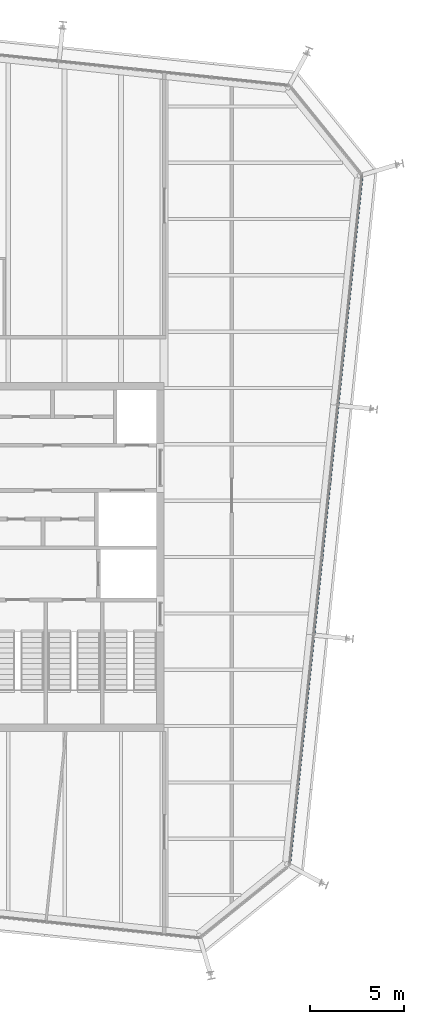
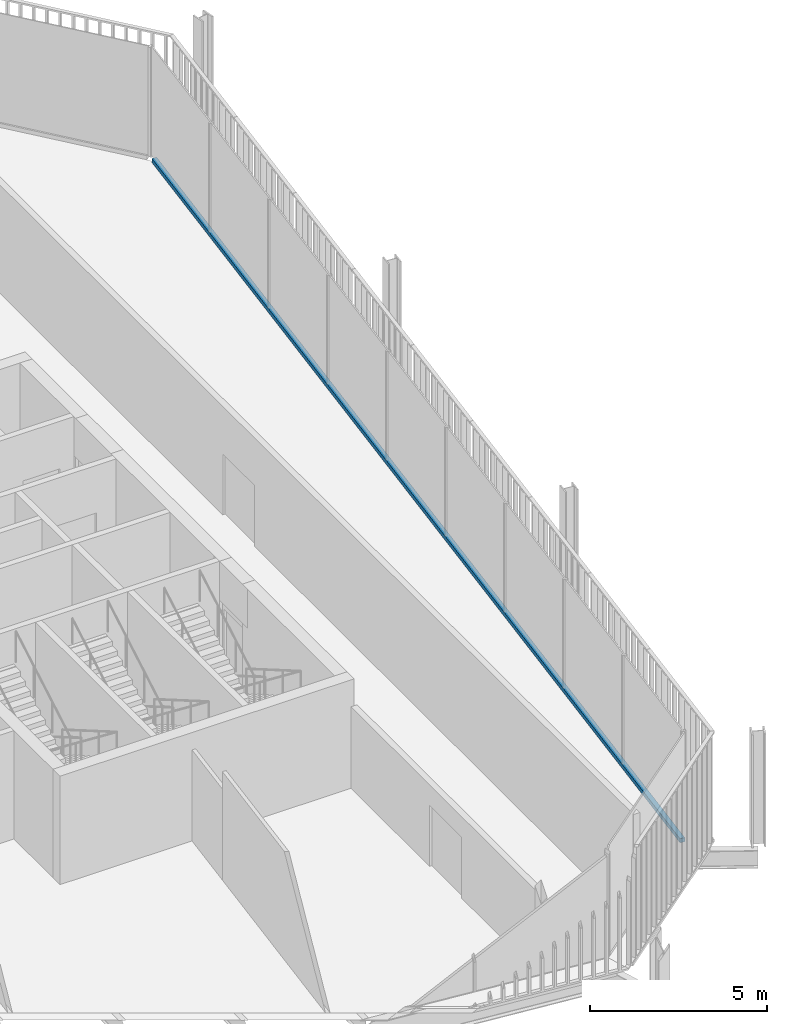
# One storey, part 10 of 20: 1 member, 1 element without a shape of its own.
"""IFC4 building model written with IfcOpenShell, lengths in metres."""

from ifc_helpers import new_model, si_unit, direction, frame, origin, origin_2d, place, context, subcontext, project, spatial, rectangle, extrude, material, layer, layer_set, material_profile, profile_set, type_object, element, aggregate, save


model = new_model("IFC4")

# Units and contexts
model_context = context("Model", 3, precision=1e-05, world=origin(), true_north=direction((0.0, 1.0)))
body_context = subcontext(model_context, "Body", "Model", "MODEL_VIEW")
ifc_project = project(units=[si_unit("LENGTHUNIT", "METRE"), si_unit("AREAUNIT", "SQUARE_METRE"), si_unit("VOLUMEUNIT", "CUBIC_METRE"), si_unit("PLANEANGLEUNIT", "RADIAN"), si_unit("MASSUNIT", "GRAM", prefix="KILO")], contexts=[model_context])

# Site, building, storey
site_placement = place(None, origin())
site = spatial("IfcSite", under=ifc_project, at=site_placement, CompositionType="ELEMENT")
building_placement = place(site_placement, origin())
building = spatial("IfcBuilding", under=site, at=building_placement, Name="Millrace Tower", CompositionType="ELEMENT")
storey_placement = place(building_placement, frame((0.0, 0.0, 322.60009765625)))
storey = spatial("IfcBuildingStorey", under=building, at=storey_placement, Name="L74", CompositionType="ELEMENT", Elevation=322.60009765625)

# Curtain wall, member
ifc_material_1 = material(Name="Aluminium and glass", Category="aluminium")
ifc_layer = layer(ifc_material_1, 0.14990234375)
ifc_layer_set = layer_set([ifc_layer], Name="Aluminium and glass")
curtain_wall_type = type_object("IfcCurtainWallType", Name="CW-1 office vision curtain wall", PredefinedType="NOTDEFINED", material=ifc_layer_set)
curtain_wall_placement = place(storey_placement, origin())
curtain_wall = element("IfcCurtainWall", 1, at=curtain_wall_placement, inside=storey, type_object=curtain_wall_type, Name="Curtain wall E-F04 L74", PredefinedType="NOTDEFINED")
ifc_material_2 = material(Name="Aluminium", Category="aluminium")
ifc_material_profile = material_profile(ifc_material_2, rectangle(XDim=0.14990234375, YDim=0.139892578125, at=origin_2d()))
ifc_profile_set = profile_set([ifc_material_profile], Name="Aluminium")
member_type = type_object("IfcMemberType", Name="CW-1 office vision curtain wall transom", PredefinedType="USERDEFINED", material=ifc_profile_set)
member_placement = place(storey_placement, frame((20.98193359375, -16.285400390625, 0.06982421875), z_axis=(0.104527916025, 0.994521952886, 0.0), x_axis=(-0.994521952886, 0.104527916025, 0.0)))
member = element("IfcMember", 2, at=member_placement, type_object=member_type, Name="CW1 transom E-F04.1", ObjectType="TRANSOM", PredefinedType="USERDEFINED", context=body_context, shape_type="SweptSolid", body=[
    extrude(rectangle(XDim=0.14990234375, YDim=0.139892578125, at=origin_2d()), origin(), (0.0, 0.0, 1.0), 36.699951171875),
])
aggregate(curtain_wall, [member])

save(model, "model.ifc")
